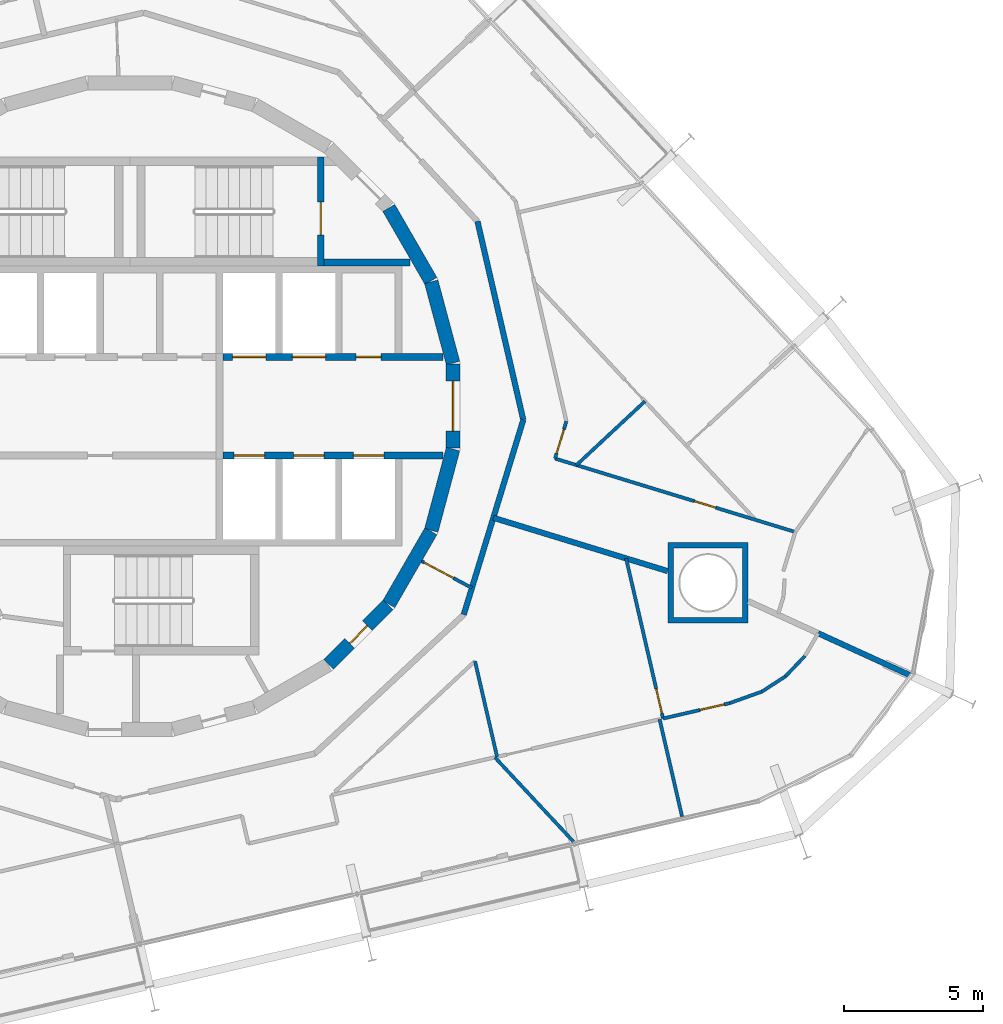
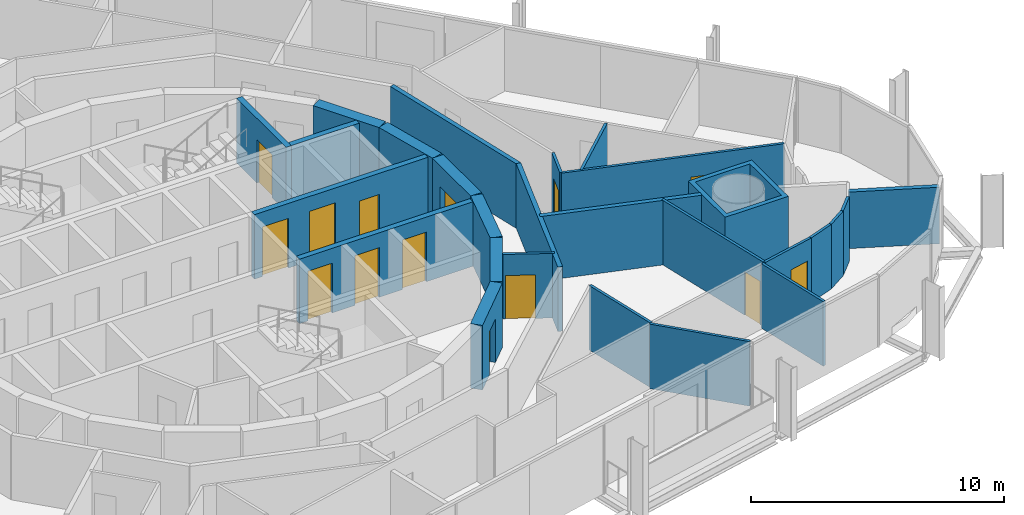
# One storey, part 14 of 18: 27 walls, 14 doors, 14 openings.
"""IFC4 building model written with IfcOpenShell, lengths in metres."""

from ifc_helpers import new_model, si_unit, direction, frame, frame_2d, origin, place, context, subcontext, project, spatial, polyline, rectangle, outline, extrude, material, layer, layer_set, type_object, element, fill, save


model = new_model("IFC4")

# Units and contexts
model_context = context("Model", 3, precision=1e-05, world=origin(), true_north=direction((0.0, 1.0)))
body_context = subcontext(model_context, "Body", "Model", "MODEL_VIEW")
ifc_project = project(units=[si_unit("LENGTHUNIT", "METRE"), si_unit("AREAUNIT", "SQUARE_METRE"), si_unit("VOLUMEUNIT", "CUBIC_METRE"), si_unit("PLANEANGLEUNIT", "RADIAN"), si_unit("MASSUNIT", "GRAM", prefix="KILO")], contexts=[model_context])

# Site, building, storey
site_placement = place(None, origin())
site = spatial("IfcSite", under=ifc_project, at=site_placement, CompositionType="ELEMENT")
building_placement = place(site_placement, origin())
building = spatial("IfcBuilding", under=site, at=building_placement, Name="Spindle Arch Residences", CompositionType="ELEMENT")
storey_placement = place(building_placement, frame((0.0, 0.0, 134.39990234375)))
storey = spatial("IfcBuildingStorey", under=building, at=storey_placement, Name="L33", CompositionType="ELEMENT", Elevation=134.39990234375)

# Wall, opening, door
ifc_material_1 = material(Name="Concrete C50/60", Category="concrete")
ifc_layer_1 = layer(ifc_material_1, 0.5)
ifc_layer_set_1 = layer_set([ifc_layer_1], Name="Core outline wall 500")
wall_type_1 = type_object("IfcWallType", Name="Core outline wall 500", PredefinedType="SHEAR", material=ifc_layer_set_1)
wall_1_placement = place(storey_placement, frame((7.163818359375, -9.30810546875, 0.0), z_axis=(0.0, 0.0, 1.0), x_axis=(0.707106781187, 0.707106781187, 0.0)))
wall_1 = element("IfcWall", 1, at=wall_1_placement, inside=storey, type_object=wall_type_1, Name="Core outline wall 3", PredefinedType="SHEAR", context=body_context, shape_type="SweptSolid", body=[
    extrude(rectangle(XDim=3.032470703125, YDim=0.5, at=frame_2d((1.51611328125, 0.0))), origin(), (0.0, 0.0, 1.0), 3.1201171875),
])
opening_1_placement = place(wall_1_placement, frame((1.06640625, 0.0, 0.0)))
opening_1 = element("IfcOpeningElement", 2, at=opening_1_placement, cuts=wall_1, Name="Opening R3C0-WD07", PredefinedType="OPENING", context=body_context, shape_type="SweptSolid", body=[
    extrude(rectangle(XDim=0.89990234375, YDim=2.10009765625, at=frame_2d((0.449951171875, 1.050048828125))), frame((0.0, 0.260009765625, 0.0), z_axis=(0.0, -1.0, 0.0), x_axis=(1.0, 0.0, 0.0)), (0.0, 0.0, 1.0), 0.52001953125),
])
ifc_material_2 = material(Name="Steel, fire-resisting door", Category="steel")
door_type_1 = type_object("IfcDoorType", Name="Service room door 900x2100", OperationType="SINGLE_SWING_LEFT", PredefinedType="DOOR", material=ifc_material_2)
door_1_placement = place(opening_1_placement, origin())
door_1 = element("IfcDoor", 3, at=door_1_placement, inside=storey, type_object=door_type_1, Name="Service room door R3C0-WD07", OperationType="SINGLE_SWING_RIGHT", OverallHeight=2.10009765625, OverallWidth=0.89990234375, PredefinedType="DOOR", context=body_context, shape_type="SweptSolid", body=[
    extrude(rectangle(XDim=0.89990234375, YDim=2.10009765625, at=frame_2d((0.449951171875, 1.050048828125))), frame((0.0, 0.02490234375, 0.0), z_axis=(0.0, -1.0, 0.0), x_axis=(1.0, 0.0, 0.0)), (0.0, 0.0, 1.0), 0.050048828125),
])
fill(opening_1, door_1)

# Walls
for number, where, z_axis, x_axis, name in (
    (4, (9.32861328125, -7.13671875, 0.0), (0.0, 0.0, 1.0), (0.500087131594, 0.865975092491, 0.0), "Core outline wall 4"),
    (5, (10.858154296875, -4.479248046875, 0.0), (0.0, 0.0, 1.0), (0.258734743916, 0.965948410781, 0.0), "Core outline wall 5"),
):
    element("IfcWall", number, at=place(storey_placement, frame(where, z_axis=z_axis, x_axis=x_axis)), inside=storey, type_object=wall_type_1, Name=name, PredefinedType="SHEAR", context=body_context, shape_type="SweptSolid", body=[
        extrude(rectangle(XDim=3.03271484375, YDim=0.5, at=frame_2d((1.516357421875, 0.0))), origin(), (0.0, 0.0, 1.0), 3.1201171875),
    ])

# Wall, opening, door
wall_2_placement = place(storey_placement, frame((11.647216796875, -1.516357421875, 0.0), z_axis=(0.0, 0.0, 1.0), x_axis=(0.0, 1.0, 0.0)))
wall_2 = element("IfcWall", 6, at=wall_2_placement, inside=storey, type_object=wall_type_1, Name="Core outline wall 6", PredefinedType="SHEAR", context=body_context, shape_type="SweptSolid", body=[
    extrude(rectangle(XDim=3.03271484375, YDim=0.5, at=frame_2d((1.516357421875, 0.0))), origin(), (0.0, 0.0, 1.0), 3.1201171875),
])
opening_2_placement = place(wall_2_placement, frame((0.6162109375, 0.0, 0.0)))
opening_2 = element("IfcOpeningElement", 7, at=opening_2_placement, cuts=wall_2, Name="Opening R3C0-FE01", PredefinedType="OPENING", context=body_context, shape_type="SweptSolid", body=[
    extrude(rectangle(XDim=1.800048828125, YDim=2.10009765625, at=frame_2d((0.89990234375, 1.050048828125))), frame((0.0, 0.260009765625, 0.0), z_axis=(0.0, -1.0, 0.0), x_axis=(1.0, 0.0, 0.0)), (0.0, 0.0, 1.0), 0.52001953125),
])
ifc_material_3 = material(Name="Steel, fire-resisting door", Category="steel")
door_type_2 = type_object("IfcDoorType", Name="Fire-lift lobby door 1800x2100", OperationType="DOUBLE_DOOR_SINGLE_SWING", PredefinedType="DOOR", material=ifc_material_3)
door_2_placement = place(opening_2_placement, origin())
door_2 = element("IfcDoor", 8, at=door_2_placement, inside=storey, type_object=door_type_2, Name="Fire-lift lobby door R3C0-FE01", OperationType="DOUBLE_DOOR_SINGLE_SWING", OverallHeight=2.10009765625, OverallWidth=1.800048828125, PredefinedType="DOOR", context=body_context, shape_type="SweptSolid", body=[
    extrude(rectangle(XDim=1.800048828125, YDim=2.10009765625, at=frame_2d((0.89990234375, 1.050048828125))), frame((0.0, 0.02490234375, 0.0), z_axis=(0.0, -1.0, 0.0), x_axis=(1.0, 0.0, 0.0)), (0.0, 0.0, 1.0), 0.050048828125),
])
fill(opening_2, door_2)

# Walls
for number, where, z_axis, x_axis, name in (
    (9, (11.642822265625, 1.5498046875, 0.0), (0.0, 0.0, 1.0), (-0.258734743916, 0.965948410781, 0.0), "Core outline wall 7"),
    (10, (10.84521484375, 4.510498046875, 0.0), (0.0, 0.0, 1.0), (-0.500087131594, 0.865975092491, 0.0), "Core outline wall 8"),
):
    element("IfcWall", number, at=place(storey_placement, frame(where, z_axis=z_axis, x_axis=x_axis)), inside=storey, type_object=wall_type_1, Name=name, PredefinedType="SHEAR", context=body_context, shape_type="SweptSolid", body=[
        extrude(rectangle(XDim=3.03271484375, YDim=0.5, at=frame_2d((1.516357421875, 0.0))), origin(), (0.0, 0.0, 1.0), 3.1201171875),
    ])

# Wall, opening, door
ifc_material_4 = material(Name="Plasterboard on steel studs", Category="steel")
ifc_layer_2 = layer(ifc_material_4, 0.1201171875)
ifc_layer_set_2 = layer_set([ifc_layer_2], Name="Corridor division wall 120")
wall_type_2 = type_object("IfcWallType", Name="Corridor division wall 120", PredefinedType="PARTITIONING", material=ifc_layer_set_2)
wall_3_placement = place(storey_placement, frame((10.510986328125, -5.5888671875, 0.0), z_axis=(0.0, 0.0, 1.0), x_axis=(0.882987820808, -0.469395897196, 0.0)))
wall_3 = element("IfcWall", 11, at=wall_3_placement, inside=storey, type_object=wall_type_2, Name="Corridor division wall R3C0-W002", PredefinedType="PARTITIONING", context=body_context, shape_type="SweptSolid", body=[
    extrude(rectangle(XDim=2.0517578125, YDim=0.1201171875, at=frame_2d((1.02587890625, 0.0))), origin(), (0.0, 0.0, 1.0), 3.1201171875),
])
opening_3_placement = place(wall_3_placement, frame((0.10009765625, 0.0, 0.0)))
opening_3 = element("IfcOpeningElement", 12, at=opening_3_placement, cuts=wall_3, Name="Opening R3C0-CD02", PredefinedType="OPENING", context=body_context, shape_type="SweptSolid", body=[
    extrude(rectangle(XDim=1.199951171875, YDim=2.10009765625, at=frame_2d((0.60009765625, 1.050048828125))), frame((0.0, 0.070068359375, 0.0), z_axis=(0.0, -1.0, 0.0), x_axis=(1.0, 0.0, 0.0)), (0.0, 0.0, 1.0), 0.14013671875),
])
ifc_material_5 = material(Name="Steel, fire-resisting door", Category="steel")
door_type_3 = type_object("IfcDoorType", Name="Corridor division door 1200x2100", OperationType="NOTDEFINED", PredefinedType="DOOR", material=ifc_material_5)
door_3_placement = place(opening_3_placement, origin())
door_3 = element("IfcDoor", 13, at=door_3_placement, inside=storey, type_object=door_type_3, Name="Corridor division door R3C0-CD02", OperationType="DOUBLE_DOOR_SINGLE_SWING", OverallHeight=2.10009765625, OverallWidth=1.199951171875, PredefinedType="DOOR", context=body_context, shape_type="SweptSolid", body=[
    extrude(rectangle(XDim=1.199951171875, YDim=2.10009765625, at=frame_2d((0.60009765625, 1.050048828125))), frame((0.0, 0.02490234375, 0.0), z_axis=(0.0, -1.0, 0.0), x_axis=(1.0, 0.0, 0.0)), (0.0, 0.0, 1.0), 0.050048828125),
])
fill(opening_3, door_3)

# Walls
ifc_material_6 = material(Name="Calcium silicate block, plastered")
ifc_layer_3 = layer(ifc_material_6, 0.199951171875)
ifc_layer_set_3 = layer_set([ifc_layer_3], Name="Corridor wall 200")
wall_type_3 = type_object("IfcWallType", Name="Corridor wall 200", PredefinedType="STANDARD", material=ifc_layer_set_3)
wall_4_placement = place(storey_placement, frame((12.028076171875, -7.51611328125, 0.0), z_axis=(0.0, 0.0, 1.0), x_axis=(0.292365533182, 0.956306642771, 0.0)))
element("IfcWall", 14, at=wall_4_placement, inside=storey, type_object=wall_type_3, Name="Corridor wall R3C0-W004", PredefinedType="STANDARD", context=body_context, shape_type="SweptSolid", body=[
    extrude(rectangle(XDim=7.341796875, YDim=0.199951171875, at=frame_2d((3.6708984375, 0.0))), origin(), (0.0, 0.0, 1.0), 3.1201171875),
])
wall_5_placement = place(storey_placement, frame((14.174560546875, -0.4951171875, 0.0), z_axis=(0.0, 0.0, 1.0), x_axis=(-0.224922649383, 0.974376622151, 0.0)))
element("IfcWall", 15, at=wall_5_placement, inside=storey, type_object=wall_type_3, Name="Corridor wall R3C0-W005", PredefinedType="STANDARD", context=body_context, shape_type="SweptSolid", body=[
    extrude(rectangle(XDim=7.342041015625, YDim=0.199951171875, at=frame_2d((3.6708984375, 0.0))), origin(), (0.0, 0.0, 1.0), 3.1201171875),
])

# Wall, openings, doors
ifc_material_7 = material(Name="Concrete C40/50", Category="concrete")
ifc_layer_4 = layer(ifc_material_7, 0.25)
ifc_layer_set_4 = layer_set([ifc_layer_4], Name="Fire-lift lobby wall 250")
wall_type_4 = type_object("IfcWallType", Name="Fire-lift lobby wall 250", PredefinedType="SHEAR", material=ifc_layer_set_4)
wall_6_placement = place(storey_placement, frame((3.35009765625, 1.77490234375, 0.0), z_axis=(0.0, 0.0, 1.0), x_axis=(1.0, 0.0, 0.0)))
wall_6 = element("IfcWall", 16, at=wall_6_placement, inside=storey, type_object=wall_type_4, Name="Lift shaft front wall NE", PredefinedType="SHEAR", context=body_context, shape_type="SweptSolid", body=[
    extrude(rectangle(XDim=7.929931640625, YDim=0.25, at=frame_2d((3.96484375, 0.0))), origin(), (0.0, 0.0, 1.0), 3.1201171875),
])
opening_4_placement = place(wall_6_placement, frame((0.35009765625, 0.0, 0.0)))
opening_4 = element("IfcOpeningElement", 17, at=opening_4_placement, cuts=wall_6, Name="Opening R3C0-SLD01", PredefinedType="OPENING", context=body_context, shape_type="SweptSolid", body=[
    extrude(rectangle(XDim=1.199951171875, YDim=2.39990234375, at=frame_2d((0.60009765625, 1.199951171875))), frame((0.0, 0.135009765625, 0.0), z_axis=(0.0, -1.0, 0.0), x_axis=(1.0, 0.0, 0.0)), (0.0, 0.0, 1.0), 0.27001953125),
])
opening_5_placement = place(wall_6_placement, frame((2.5, 0.0, 0.0)))
opening_5 = element("IfcOpeningElement", 18, at=opening_5_placement, cuts=wall_6, Name="Opening R3C0-SLD02", PredefinedType="OPENING", context=body_context, shape_type="SweptSolid", body=[
    extrude(rectangle(XDim=1.199951171875, YDim=2.39990234375, at=frame_2d((0.60009765625, 1.199951171875))), frame((0.0, 0.135009765625, 0.0), z_axis=(0.0, -1.0, 0.0), x_axis=(1.0, 0.0, 0.0)), (0.0, 0.0, 1.0), 0.27001953125),
])
opening_6_placement = place(wall_6_placement, frame((4.800048828125, 0.0, 0.0)))
opening_6 = element("IfcOpeningElement", 19, at=opening_6_placement, cuts=wall_6, Name="Opening R3C0-WD03", PredefinedType="OPENING", context=body_context, shape_type="SweptSolid", body=[
    extrude(rectangle(XDim=0.89990234375, YDim=2.10009765625, at=frame_2d((0.449951171875, 1.050048828125))), frame((0.0, 0.135009765625, 0.0), z_axis=(0.0, -1.0, 0.0), x_axis=(1.0, 0.0, 0.0)), (0.0, 0.0, 1.0), 0.27001953125),
])
ifc_material_8 = material(Name="Steel, fire-resisting landing door", Category="steel")
door_type_4 = type_object("IfcDoorType", Name="Service lift landing door 1200x2400", OperationType="DOUBLE_DOOR_SLIDING", PredefinedType="DOOR", material=ifc_material_8)
door_4_placement = place(opening_4_placement, origin())
door_4 = element("IfcDoor", 20, at=door_4_placement, inside=storey, type_object=door_type_4, Name="Service lift landing door R3C0-SLD01", OperationType="DOUBLE_DOOR_SLIDING", OverallHeight=2.39990234375, OverallWidth=1.199951171875, PredefinedType="DOOR", context=body_context, shape_type="SweptSolid", body=[
    extrude(rectangle(XDim=1.199951171875, YDim=2.39990234375, at=frame_2d((0.60009765625, 1.199951171875))), frame((0.0, 0.02490234375, 0.0), z_axis=(0.0, -1.0, 0.0), x_axis=(1.0, 0.0, 0.0)), (0.0, 0.0, 1.0), 0.050048828125),
])
fill(opening_4, door_4)
door_5_placement = place(opening_5_placement, origin())
door_5 = element("IfcDoor", 21, at=door_5_placement, inside=storey, type_object=door_type_4, Name="Service lift landing door R3C0-SLD02", OperationType="DOUBLE_DOOR_SLIDING", OverallHeight=2.39990234375, OverallWidth=1.199951171875, PredefinedType="DOOR", context=body_context, shape_type="SweptSolid", body=[
    extrude(rectangle(XDim=1.199951171875, YDim=2.39990234375, at=frame_2d((0.60009765625, 1.199951171875))), frame((0.0, 0.02490234375, 0.0), z_axis=(0.0, -1.0, 0.0), x_axis=(1.0, 0.0, 0.0)), (0.0, 0.0, 1.0), 0.050048828125),
])
fill(opening_5, door_5)
door_6_placement = place(opening_6_placement, origin())
door_6 = element("IfcDoor", 22, at=door_6_placement, inside=storey, type_object=door_type_1, Name="Service room door R3C0-WD03", OperationType="SINGLE_SWING_RIGHT", OverallHeight=2.10009765625, OverallWidth=0.89990234375, PredefinedType="DOOR", context=body_context, shape_type="SweptSolid", body=[
    extrude(rectangle(XDim=0.89990234375, YDim=2.10009765625, at=frame_2d((0.449951171875, 1.050048828125))), frame((0.0, 0.02490234375, 0.0), z_axis=(0.0, -1.0, 0.0), x_axis=(1.0, 0.0, 0.0)), (0.0, 0.0, 1.0), 0.050048828125),
])
fill(opening_6, door_6)

ifc_material_9 = material(Name="Concrete C50/60", Category="concrete")
ifc_layer_5 = layer(ifc_material_9, 0.25)
ifc_layer_set_5 = layer_set([ifc_layer_5], Name="Fire-lift shaft wall 250")
wall_type_5 = type_object("IfcWallType", Name="Fire-lift shaft wall 250", PredefinedType="SHEAR", material=ifc_layer_set_5)
wall_7_placement = place(storey_placement, frame((3.35009765625, -1.77490234375, 0.0), z_axis=(0.0, 0.0, 1.0), x_axis=(1.0, 0.0, 0.0)))
wall_7 = element("IfcWall", 23, at=wall_7_placement, inside=storey, type_object=wall_type_5, Name="Lift shaft front wall SE", PredefinedType="SHEAR", context=body_context, shape_type="SweptSolid", body=[
    extrude(rectangle(XDim=7.929931640625, YDim=0.25, at=frame_2d((3.96484375, 0.0))), origin(), (0.0, 0.0, 1.0), 3.1201171875),
])
opening_7_placement = place(wall_7_placement, frame((0.39990234375, 0.0, 0.0)))
opening_7 = element("IfcOpeningElement", 24, at=opening_7_placement, cuts=wall_7, Name="Opening R3C0-FLD01", PredefinedType="OPENING", context=body_context, shape_type="SweptSolid", body=[
    extrude(rectangle(XDim=1.10009765625, YDim=2.39990234375, at=frame_2d((0.550048828125, 1.199951171875))), frame((0.0, 0.135009765625, 0.0), z_axis=(0.0, -1.0, 0.0), x_axis=(1.0, 0.0, 0.0)), (0.0, 0.0, 1.0), 0.27001953125),
])
opening_8_placement = place(wall_7_placement, frame((2.550048828125, 0.0, 0.0)))
opening_8 = element("IfcOpeningElement", 25, at=opening_8_placement, cuts=wall_7, Name="Opening R3C0-FLD02", PredefinedType="OPENING", context=body_context, shape_type="SweptSolid", body=[
    extrude(rectangle(XDim=1.10009765625, YDim=2.39990234375, at=frame_2d((0.550048828125, 1.199951171875))), frame((0.0, 0.135009765625, 0.0), z_axis=(0.0, -1.0, 0.0), x_axis=(1.0, 0.0, 0.0)), (0.0, 0.0, 1.0), 0.27001953125),
])
opening_9_placement = place(wall_7_placement, frame((4.699951171875, 0.0, 0.0)))
opening_9 = element("IfcOpeningElement", 26, at=opening_9_placement, cuts=wall_7, Name="Opening R3C0-FLD03", PredefinedType="OPENING", context=body_context, shape_type="SweptSolid", body=[
    extrude(rectangle(XDim=1.10009765625, YDim=2.39990234375, at=frame_2d((0.550048828125, 1.199951171875))), frame((0.0, 0.135009765625, 0.0), z_axis=(0.0, -1.0, 0.0), x_axis=(1.0, 0.0, 0.0)), (0.0, 0.0, 1.0), 0.27001953125),
])
ifc_material_10 = material(Name="Steel, fire-resisting landing door", Category="steel")
door_type_5 = type_object("IfcDoorType", Name="Fire-fighting lift landing door 1100x2400", OperationType="DOUBLE_DOOR_SLIDING", PredefinedType="DOOR", material=ifc_material_10)
door_7_placement = place(opening_7_placement, origin())
door_7 = element("IfcDoor", 27, at=door_7_placement, inside=storey, type_object=door_type_5, Name="Fire-fighting lift landing door R3C0-FLD01", OperationType="DOUBLE_DOOR_SLIDING", OverallHeight=2.39990234375, OverallWidth=1.10009765625, PredefinedType="DOOR", context=body_context, shape_type="SweptSolid", body=[
    extrude(rectangle(XDim=1.10009765625, YDim=2.39990234375, at=frame_2d((0.550048828125, 1.199951171875))), frame((0.0, 0.02490234375, 0.0), z_axis=(0.0, -1.0, 0.0), x_axis=(1.0, 0.0, 0.0)), (0.0, 0.0, 1.0), 0.050048828125),
])
fill(opening_7, door_7)
door_8_placement = place(opening_8_placement, origin())
door_8 = element("IfcDoor", 28, at=door_8_placement, inside=storey, type_object=door_type_5, Name="Fire-fighting lift landing door R3C0-FLD02", OperationType="DOUBLE_DOOR_SLIDING", OverallHeight=2.39990234375, OverallWidth=1.10009765625, PredefinedType="DOOR", context=body_context, shape_type="SweptSolid", body=[
    extrude(rectangle(XDim=1.10009765625, YDim=2.39990234375, at=frame_2d((0.550048828125, 1.199951171875))), frame((0.0, 0.02490234375, 0.0), z_axis=(0.0, -1.0, 0.0), x_axis=(1.0, 0.0, 0.0)), (0.0, 0.0, 1.0), 0.050048828125),
])
fill(opening_8, door_8)
door_9_placement = place(opening_9_placement, origin())
door_9 = element("IfcDoor", 29, at=door_9_placement, inside=storey, type_object=door_type_5, Name="Fire-fighting lift landing door R3C0-FLD03", OperationType="DOUBLE_DOOR_SLIDING", OverallHeight=2.39990234375, OverallWidth=1.10009765625, PredefinedType="DOOR", context=body_context, shape_type="SweptSolid", body=[
    extrude(rectangle(XDim=1.10009765625, YDim=2.39990234375, at=frame_2d((0.550048828125, 1.199951171875))), frame((0.0, 0.02490234375, 0.0), z_axis=(0.0, -1.0, 0.0), x_axis=(1.0, 0.0, 0.0)), (0.0, 0.0, 1.0), 0.050048828125),
])
fill(opening_9, door_9)

# Wall, opening, door
ifc_material_11 = material(Name="Plasterboard on steel studs", Category="steel")
ifc_layer_6 = layer(ifc_material_11, 0.1201171875)
ifc_layer_set_6 = layer_set([ifc_layer_6], Name="Flat partition 120")
wall_type_6 = type_object("IfcWallType", Name="Flat partition 120", PredefinedType="PARTITIONING", material=ifc_layer_set_6)
wall_8_placement = place(storey_placement, frame((23.974853515625, -4.537353515625, 0.0), z_axis=(0.0, 0.0, 1.0), x_axis=(-0.956300480156, 0.292385689892, 0.0)))
wall_8 = element("IfcWall", 30, at=wall_8_placement, inside=storey, type_object=wall_type_6, Name="Flat partition R3C0-W031", PredefinedType="PARTITIONING", context=body_context, shape_type="SweptSolid", body=[
    extrude(rectangle(XDim=9.053955078125, YDim=0.1201171875, at=frame_2d((4.52685546875, 0.0))), origin(), (0.0, 0.0, 1.0), 3.1201171875),
])
opening_10_placement = place(wall_8_placement, frame((2.99755859375, 0.0, 0.0)))
opening_10 = element("IfcOpeningElement", 31, at=opening_10_placement, cuts=wall_8, Name="Opening R3C0-BD01", PredefinedType="OPENING", context=body_context, shape_type="SweptSolid", body=[
    extrude(rectangle(XDim=0.800048828125, YDim=2.10009765625, at=frame_2d((0.39990234375, 1.050048828125))), frame((0.0, 0.070068359375, 0.0), z_axis=(0.0, -1.0, 0.0), x_axis=(1.0, 0.0, 0.0)), (0.0, 0.0, 1.0), 0.14013671875),
])
ifc_material_12 = material(Name="Timber door set", Category="wood")
door_type_6 = type_object("IfcDoorType", Name="Bathroom door 800x2100", OperationType="NOTDEFINED", PredefinedType="DOOR", material=ifc_material_12)
door_10_placement = place(opening_10_placement, origin())
door_10 = element("IfcDoor", 32, at=door_10_placement, inside=storey, type_object=door_type_6, Name="Bathroom door R3C0-BD01", OperationType="SINGLE_SWING_LEFT", OverallHeight=2.10009765625, OverallWidth=0.800048828125, PredefinedType="DOOR", context=body_context, shape_type="SweptSolid", body=[
    extrude(rectangle(XDim=0.800048828125, YDim=2.10009765625, at=frame_2d((0.39990234375, 1.050048828125))), frame((0.0, 0.02490234375, 0.0), z_axis=(0.0, -1.0, 0.0), x_axis=(1.0, 0.0, 0.0)), (0.0, 0.0, 1.0), 0.050048828125),
])
fill(opening_10, door_10)

wall_9_placement = place(storey_placement, frame((15.316650390625, -1.89013671875, 0.0), z_axis=(0.0, 0.0, 1.0), x_axis=(0.292360095486, 0.956308305186, 0.0)))
wall_9 = element("IfcWall", 33, at=wall_9_placement, inside=storey, type_object=wall_type_6, Name="Flat partition R3C0-W032", PredefinedType="PARTITIONING", context=body_context, shape_type="SweptSolid", body=[
    extrude(rectangle(XDim=1.402099609375, YDim=0.1201171875, at=frame_2d((0.701171875, 0.0))), origin(), (0.0, 0.0, 1.0), 3.1201171875),
])
opening_11_placement = place(wall_9_placement, frame((0.199951171875, 0.0, 0.0)))
opening_11 = element("IfcOpeningElement", 34, at=opening_11_placement, cuts=wall_9, Name="Opening R3C0-ID01", PredefinedType="OPENING", context=body_context, shape_type="SweptSolid", body=[
    extrude(rectangle(XDim=0.89990234375, YDim=2.10009765625, at=frame_2d((0.449951171875, 1.050048828125))), frame((0.0, 0.070068359375, 0.0), z_axis=(0.0, -1.0, 0.0), x_axis=(1.0, 0.0, 0.0)), (0.0, 0.0, 1.0), 0.14013671875),
])
ifc_material_13 = material(Name="Timber door set", Category="wood")
door_type_7 = type_object("IfcDoorType", Name="Room door 900x2100", OperationType="NOTDEFINED", PredefinedType="DOOR", material=ifc_material_13)
door_11_placement = place(opening_11_placement, origin())
door_11 = element("IfcDoor", 35, at=door_11_placement, inside=storey, type_object=door_type_7, Name="Room door R3C0-ID01", OperationType="SINGLE_SWING_LEFT", OverallHeight=2.10009765625, OverallWidth=0.89990234375, PredefinedType="DOOR", context=body_context, shape_type="SweptSolid", body=[
    extrude(rectangle(XDim=0.89990234375, YDim=2.10009765625, at=frame_2d((0.449951171875, 1.050048828125))), frame((0.0, 0.02490234375, 0.0), z_axis=(0.0, -1.0, 0.0), x_axis=(1.0, 0.0, 0.0)), (0.0, 0.0, 1.0), 0.050048828125),
])
fill(opening_11, door_11)

# Walls
wall_10_placement = place(storey_placement, frame((16.0908203125, -2.126953125, 0.0), z_axis=(0.0, 0.0, 1.0), x_axis=(0.731389706697, 0.6819597473, 0.0)))
element("IfcWall", 36, at=wall_10_placement, inside=storey, type_object=wall_type_6, Name="Flat partition R3C0-W039", PredefinedType="PARTITIONING", context=body_context, shape_type="SweptSolid", body=[
    extrude(rectangle(XDim=3.37353515625, YDim=0.1201171875, at=frame_2d((1.686767578125, 0.0))), origin(), (0.0, 0.0, 1.0), 3.1201171875),
])
wall_11_placement = place(storey_placement, frame((12.43359375, -9.188720703125, 0.0), z_axis=(0.0, 0.0, 1.0), x_axis=(0.224924972887, -0.974376085796, 0.0)))
element("IfcWall", 37, at=wall_11_placement, inside=storey, type_object=wall_type_6, Name="Flat partition R3C0-W106", PredefinedType="PARTITIONING", context=body_context, shape_type="SweptSolid", body=[
    extrude(rectangle(XDim=3.540771484375, YDim=0.1201171875, at=frame_2d((1.7705078125, 0.0))), origin(), (0.0, 0.0, 1.0), 3.1201171875),
])

# Wall, opening, door
wall_12_placement = place(storey_placement, frame((19.211181640625, -11.2578125, 0.0), z_axis=(0.0, 0.0, 1.0), x_axis=(-0.22499500936, 0.974359915926, 0.0)))
wall_12 = element("IfcWall", 38, at=wall_12_placement, inside=storey, type_object=wall_type_6, Name="Flat partition R3C0-W108", PredefinedType="PARTITIONING", context=body_context, shape_type="SweptSolid", body=[
    extrude(rectangle(XDim=5.92138671875, YDim=0.1201171875, at=frame_2d((2.960693359375, 0.0))), origin(), (0.0, 0.0, 1.0), 3.1201171875),
])
opening_12_placement = place(wall_12_placement, frame((0.199951171875, 0.0, 0.0)))
opening_12 = element("IfcOpeningElement", 39, at=opening_12_placement, cuts=wall_12, Name="Opening R3C0-ID29", PredefinedType="OPENING", context=body_context, shape_type="SweptSolid", body=[
    extrude(rectangle(XDim=0.89990234375, YDim=2.10009765625, at=frame_2d((0.449951171875, 1.050048828125))), frame((0.0, 0.070068359375, 0.0), z_axis=(0.0, -1.0, 0.0), x_axis=(1.0, 0.0, 0.0)), (0.0, 0.0, 1.0), 0.14013671875),
])
door_12_placement = place(opening_12_placement, origin())
door_12 = element("IfcDoor", 40, at=door_12_placement, inside=storey, type_object=door_type_7, Name="Room door R3C0-ID29", OperationType="SINGLE_SWING_RIGHT", OverallHeight=2.10009765625, OverallWidth=0.89990234375, PredefinedType="DOOR", context=body_context, shape_type="SweptSolid", body=[
    extrude(rectangle(XDim=0.89990234375, YDim=2.10009765625, at=frame_2d((0.449951171875, 1.050048828125))), frame((0.0, 0.02490234375, 0.0), z_axis=(0.0, -1.0, 0.0), x_axis=(1.0, 0.0, 0.0)), (0.0, 0.0, 1.0), 0.050048828125),
])
fill(opening_12, door_12)

# Walls
wall_13_placement = place(storey_placement, frame((15.984619140625, -15.697509765625, 0.0), z_axis=(0.0, 0.0, 1.0), x_axis=(-0.681979185924, 0.731371581322, 0.0)))
element("IfcWall", 41, at=wall_13_placement, inside=storey, type_object=wall_type_6, Name="Flat partition R3C0-W109", PredefinedType="PARTITIONING", context=body_context, shape_type="SweptSolid", body=[
    extrude(rectangle(XDim=4.156982421875, YDim=0.1201171875, at=frame_2d((2.07861328125, 0.0))), origin(), (0.0, 0.0, 1.0), 3.1201171875),
])
wall_14_placement = place(storey_placement, frame((19.896240234375, -14.794189453125, 0.0), z_axis=(0.0, 0.0, 1.0), x_axis=(-0.224958568294, 0.974368330023, 0.0)))
element("IfcWall", 42, at=wall_14_placement, inside=storey, type_object=wall_type_6, Name="Flat partition R3C0-W110", PredefinedType="PARTITIONING", context=body_context, shape_type="SweptSolid", body=[
    extrude(rectangle(XDim=3.599853515625, YDim=0.1201171875, at=frame_2d((1.7998046875, 0.0))), origin(), (0.0, 0.0, 1.0), 3.1201171875),
])
for number, where, z_axis, x_axis, name in (
    (43, (24.324462890625, -9.001708984375, 0.0), (0.0, 0.0, 1.0), (-0.690452883014, -0.723377367864, 0.0), "Flat partition R3C0-W112"),
    (44, (23.623046875, -9.736572265625, 0.0), (0.0, 0.0, 1.0), (-0.838718041084, -0.544565925816, 0.0), "Flat partition R3C0-W113"),
):
    element("IfcWall", number, at=place(storey_placement, frame(where, z_axis=z_axis, x_axis=x_axis)), inside=storey, type_object=wall_type_6, Name=name, PredefinedType="PARTITIONING", context=body_context, shape_type="SweptSolid", body=[
        extrude(rectangle(XDim=1.015869140625, YDim=0.1201171875, at=frame_2d((0.5078125, 0.0))), origin(), (0.0, 0.0, 1.0), 3.1201171875),
    ])
wall_15_placement = place(storey_placement, frame((22.77099609375, -10.289794921875, 0.0), z_axis=(0.0, 0.0, 1.0), x_axis=(-0.941701391526, -0.336449831623, 0.0)))
element("IfcWall", 45, at=wall_15_placement, inside=storey, type_object=wall_type_6, Name="Flat partition R3C0-W114", PredefinedType="PARTITIONING", context=body_context, shape_type="SweptSolid", body=[
    extrude(rectangle(XDim=1.22705078125, YDim=0.1201171875, at=frame_2d((0.613525390625, 0.0))), origin(), (0.0, 0.0, 1.0), 3.1201171875),
])

# Wall, opening, door
wall_16_placement = place(storey_placement, frame((21.615478515625, -10.70263671875, 0.0), z_axis=(0.0, 0.0, 1.0), x_axis=(-0.974361171506, -0.224989571893, 0.0)))
wall_16 = element("IfcWall", 46, at=wall_16_placement, inside=storey, type_object=wall_type_6, Name="Flat partition R3C0-W115", PredefinedType="PARTITIONING", context=body_context, shape_type="SweptSolid", body=[
    extrude(rectangle(XDim=2.467529296875, YDim=0.1201171875, at=frame_2d((1.23388671875, 0.0))), origin(), (0.0, 0.0, 1.0), 3.1201171875),
])
opening_13_placement = place(wall_16_placement, frame((0.199951171875, 0.0, 0.0)))
opening_13 = element("IfcOpeningElement", 47, at=opening_13_placement, cuts=wall_16, Name="Opening R3C0-ID30", PredefinedType="OPENING", context=body_context, shape_type="SweptSolid", body=[
    extrude(rectangle(XDim=0.89990234375, YDim=2.10009765625, at=frame_2d((0.449951171875, 1.050048828125))), frame((0.0, 0.070068359375, 0.0), z_axis=(0.0, -1.0, 0.0), x_axis=(1.0, 0.0, 0.0)), (0.0, 0.0, 1.0), 0.14013671875),
])
door_13_placement = place(opening_13_placement, origin())
door_13 = element("IfcDoor", 48, at=door_13_placement, inside=storey, type_object=door_type_7, Name="Room door R3C0-ID30", OperationType="SINGLE_SWING_RIGHT", OverallHeight=2.10009765625, OverallWidth=0.89990234375, PredefinedType="DOOR", context=body_context, shape_type="SweptSolid", body=[
    extrude(rectangle(XDim=0.89990234375, YDim=2.10009765625, at=frame_2d((0.449951171875, 1.050048828125))), frame((0.0, 0.02490234375, 0.0), z_axis=(0.0, -1.0, 0.0), x_axis=(1.0, 0.0, 0.0)), (0.0, 0.0, 1.0), 0.050048828125),
])
fill(opening_13, door_13)

# Walls
ifc_material_14 = material(Name="Calcium silicate block, plastered")
ifc_layer_7 = layer(ifc_material_14, 0.199951171875)
ifc_layer_set_7 = layer_set([ifc_layer_7], Name="Flat party wall 200")
wall_type_7 = type_object("IfcWallType", Name="Flat party wall 200", PredefinedType="STANDARD", material=ifc_layer_set_7)
wall_17_placement = place(storey_placement, frame((13.09521484375, -4.025634765625, 0.0), z_axis=(0.0, 0.0, 1.0), x_axis=(0.956303942966, -0.292374363904, 0.0)))
element("IfcWall", 49, at=wall_17_placement, inside=storey, type_object=wall_type_7, Name="Flat party wall R3C0-W017", PredefinedType="STANDARD", context=body_context, shape_type="SweptSolid", body=[
    extrude(rectangle(XDim=6.5673828125, YDim=0.199951171875, at=frame_2d((3.28369140625, 0.0))), origin(), (0.0, 0.0, 1.0), 3.1201171875),
])
ifc_material_15 = material(Name="Calcium silicate block, plastered")
ifc_layer_8 = layer(ifc_material_15, 0.199951171875)
ifc_layer_set_8 = layer_set([ifc_layer_8], Name="Flat party wall 200 under beam 2730")
wall_type_8 = type_object("IfcWallType", Name="Flat party wall 200 under beam 2730", PredefinedType="STANDARD", material=ifc_layer_set_8)
wall_18_placement = place(storey_placement, frame((24.8017578125, -8.18603515625, 0.0), z_axis=(0.0, 0.0, 1.0), x_axis=(0.909307466213, -0.416124899387, 0.0)))
element("IfcWall", 50, at=wall_18_placement, inside=storey, type_object=wall_type_8, Name="Flat party wall R3C0-W020", PredefinedType="STANDARD", context=body_context, shape_type="SweptSolid", body=[
    extrude(rectangle(XDim=3.6181640625, YDim=0.199951171875, at=frame_2d((1.80908203125, 0.0))), origin(), (0.0, 0.0, 1.0), 2.72998046875),
])
ifc_material_16 = material(Name="Calcium silicate block, plastered")
ifc_layer_9 = layer(ifc_material_16, 0.199951171875)
ifc_layer_set_9 = layer_set([ifc_layer_9], Name="Mega-column casing wall 200")
wall_type_9 = type_object("IfcWallType", Name="Mega-column casing wall 200", PredefinedType="STANDARD", material=ifc_layer_set_9)
wall_19_placement = place(storey_placement, origin())
element("IfcWall", 51, at=wall_19_placement, inside=storey, type_object=wall_type_9, Name="Mega-column casing wall R3C0-WC03", PredefinedType="STANDARD", context=body_context, shape_type="SweptSolid", body=[
    extrude(outline(polyline([(22.280029296875, -4.91845703125), (22.280029296875, -7.818359375), (19.3798828125, -7.818359375), (19.3798828125, -4.91845703125), (22.280029296875, -4.91845703125)]), holes=[polyline([(19.580078125, -7.618408203125), (22.080078125, -7.618408203125), (22.080078125, -5.118408203125), (19.580078125, -5.118408203125), (19.580078125, -7.618408203125)])]), origin(), (0.0, 0.0, 1.0), 3.1201171875),
])
ifc_material_17 = material(Name="Concrete C40/50", Category="concrete")
ifc_layer_10 = layer(ifc_material_17, 0.25)
ifc_layer_set_10 = layer_set([ifc_layer_10], Name="Stair airlock wall 250")
wall_type_10 = type_object("IfcWallType", Name="Stair airlock wall 250", PredefinedType="SHEAR", material=ifc_layer_set_10)
wall_20_placement = place(storey_placement, frame((7.0, 5.175048828125, 0.0), z_axis=(0.0, 0.0, 1.0), x_axis=(1.0, 0.0, 0.0)))
element("IfcWall", 52, at=wall_20_placement, inside=storey, type_object=wall_type_10, Name="Stair ST-1 airlock wall S", PredefinedType="SHEAR", context=body_context, shape_type="SweptSolid", body=[
    extrude(rectangle(XDim=3.10009765625, YDim=0.25, at=frame_2d((1.550048828125, 0.0))), origin(), (0.0, 0.0, 1.0), 3.1201171875),
])

# Wall, opening, door
ifc_material_18 = material(Name="Concrete C50/60", Category="concrete")
ifc_layer_11 = layer(ifc_material_18, 0.25)
ifc_layer_set_11 = layer_set([ifc_layer_11], Name="Stair enclosure wall 250")
wall_type_11 = type_object("IfcWallType", Name="Stair enclosure wall 250", PredefinedType="SHEAR", material=ifc_layer_set_11)
wall_21_placement = place(storey_placement, frame((6.875, 5.050048828125, 0.0), z_axis=(0.0, 0.0, 1.0), x_axis=(0.0, 1.0, 0.0)))
wall_21 = element("IfcWall", 53, at=wall_21_placement, inside=storey, type_object=wall_type_11, Name="Stair ST-1 door wall", PredefinedType="SHEAR", context=body_context, shape_type="SweptSolid", body=[
    extrude(rectangle(XDim=3.919921875, YDim=0.25, at=frame_2d((1.9599609375, 0.0))), origin(), (0.0, 0.0, 1.0), 3.1201171875),
])
opening_14_placement = place(wall_21_placement, frame((1.110107421875, 0.0, 0.0)))
opening_14 = element("IfcOpeningElement", 54, at=opening_14_placement, cuts=wall_21, Name="Opening R3C0-SD01", PredefinedType="OPENING", context=body_context, shape_type="SweptSolid", body=[
    extrude(rectangle(XDim=1.199951171875, YDim=2.10009765625, at=frame_2d((0.60009765625, 1.050048828125))), frame((0.0, 0.135009765625, 0.0), z_axis=(0.0, -1.0, 0.0), x_axis=(1.0, 0.0, 0.0)), (0.0, 0.0, 1.0), 0.27001953125),
])
ifc_material_19 = material(Name="Steel, fire-resisting door", Category="steel")
door_type_8 = type_object("IfcDoorType", Name="Stair door 1200x2100", OperationType="SINGLE_SWING_RIGHT", PredefinedType="DOOR", material=ifc_material_19)
door_14_placement = place(opening_14_placement, origin())
door_14 = element("IfcDoor", 55, at=door_14_placement, inside=storey, type_object=door_type_8, Name="Stair door R3C0-SD01", OperationType="SINGLE_SWING_LEFT", OverallHeight=2.10009765625, OverallWidth=1.199951171875, PredefinedType="DOOR", context=body_context, shape_type="SweptSolid", body=[
    extrude(rectangle(XDim=1.199951171875, YDim=2.10009765625, at=frame_2d((0.60009765625, 1.050048828125))), frame((0.0, 0.02490234375, 0.0), z_axis=(0.0, -1.0, 0.0), x_axis=(1.0, 0.0, 0.0)), (0.0, 0.0, 1.0), 0.050048828125),
])
fill(opening_14, door_14)

save(model, "model.ifc")
